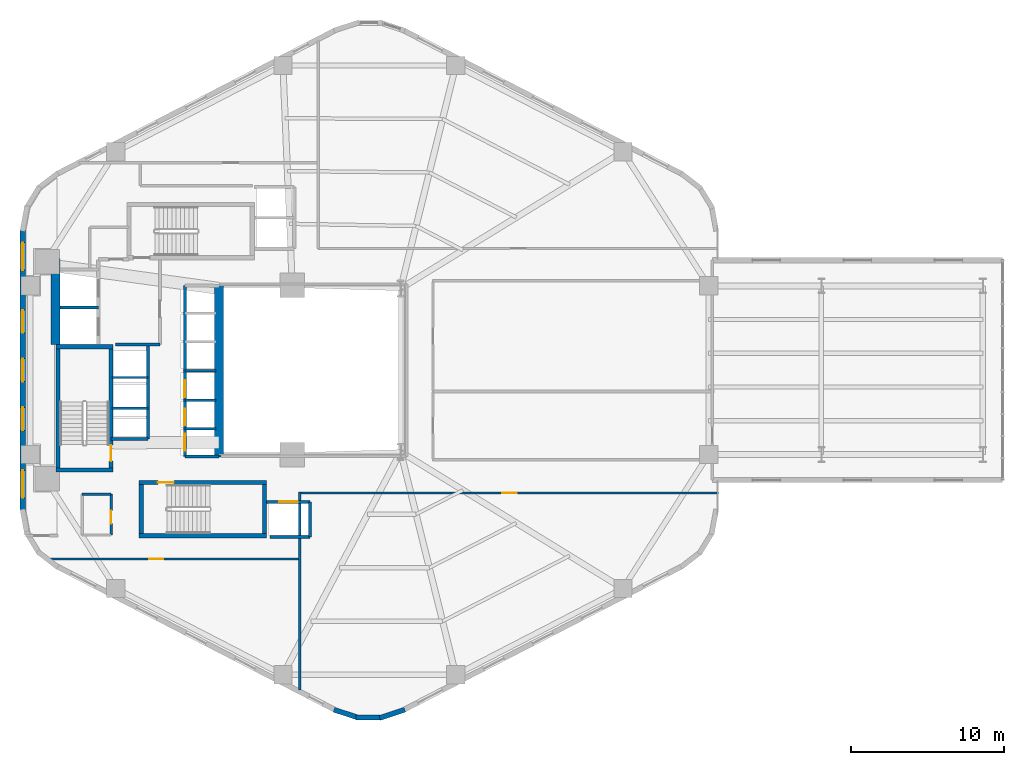
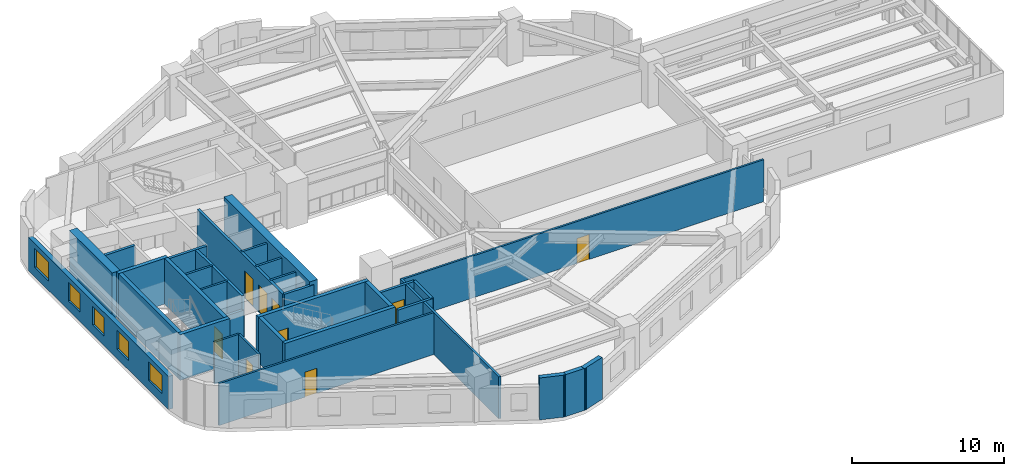
# One storey, part 5 of 10: 33 walls, 9 doors, 5 windows, 14 openings.
"""IFC4 building model written with IfcOpenShell, lengths in metres."""

import ifcopenshell
import ifcopenshell.guid

model = None  # the IFC model being written
_history = None  # IfcOwnerHistory: only IFC2X3 demands one
_inside = {}  # id of a spatial element -> (the spatial element, [elements in it])
_under = {}  # id of a project, library or spatial element -> (it, [spatial elements below it])
_declared = {}  # id of a project -> (the project, [libraries it declares])
_typed = {}  # id of a type object -> (the type object, [elements of that type])
_made_of = {}  # id of a material, layer set ... -> (it, [elements and type objects made of it])


def new_model(schema):
    """Start an empty IFC model of exactly this schema.

    Asked for "IFC4X3", IfcOpenShell would pick the latest addendum, in which some entities
    have other attributes; the version numbers below select the first issue.
    IFC2X3 requires an IfcOwnerHistory on every rooted entity: one is made here for all.
    """
    global model, _history
    if schema == "IFC4X3":
        model = ifcopenshell.file(schema_version=(4, 3, 0, 0))
    else:
        model = ifcopenshell.file(schema=schema)
    _inside.clear()
    _under.clear()
    _declared.clear()
    _typed.clear()
    _made_of.clear()
    _history = None
    if model.schema == "IFC2X3":
        org = make("IfcOrganization", Name="unknown")
        user = make(
            "IfcPersonAndOrganization",
            ThePerson=make("IfcPerson", FamilyName="unknown"),
            TheOrganization=org,
        )
        app = make(
            "IfcApplication",
            ApplicationDeveloper=org,
            Version="unknown",
            ApplicationFullName="unknown",
            ApplicationIdentifier="unknown",
        )
        _history = make(
            "IfcOwnerHistory",
            OwningUser=user,
            OwningApplication=app,
            ChangeAction="ADDED",
            CreationDate=0,
        )
    return model


def make(cls, **values):
    """One entity of the class cls with the attributes given. An attribute that is None is left unset."""
    return model.create_entity(
        cls, **{name: value for name, value in values.items() if value is not None}
    )


def rooted(cls, **values):
    """An entity with a GlobalId (a new one), such as an element, a storey or a relation."""
    return make(cls, GlobalId=ifcopenshell.guid.new(), OwnerHistory=_history, **values)


def si_unit(unit_type, name, prefix=None):
    """IfcSIUnit, for example si_unit("LENGTHUNIT", "METRE", prefix="MILLI")."""
    return make("IfcSIUnit", UnitType=unit_type, Prefix=prefix, Name=name)


def assignment(units):
    """IfcUnitAssignment: the units of a project."""
    return None if units is None else make("IfcUnitAssignment", Units=units)


def point(xyz):
    """IfcCartesianPoint."""
    return None if xyz is None else make("IfcCartesianPoint", Coordinates=xyz)


def direction(xyz):
    """IfcDirection."""
    return None if xyz is None else make("IfcDirection", DirectionRatios=xyz)


def frame(location, z_axis=None, x_axis=None):
    """IfcAxis2Placement3D, a coordinate frame: its origin and axes. An axis left out is left unset."""
    return make(
        "IfcAxis2Placement3D",
        Location=point(location),
        Axis=direction(z_axis),
        RefDirection=direction(x_axis),
    )


def frame_2d(location, x_axis=None):
    """IfcAxis2Placement2D, a coordinate frame in the plane: its origin and x axis."""
    return make(
        "IfcAxis2Placement2D", Location=point(location), RefDirection=direction(x_axis)
    )


def origin():
    """The frame at (0, 0, 0) with its axes left unset."""
    return frame((0.0, 0.0, 0.0))


def place(relative_to, where):
    """IfcLocalPlacement: puts the frame where relative to a parent placement (None: the world)."""
    return make(
        "IfcLocalPlacement", PlacementRelTo=relative_to, RelativePlacement=where
    )


def context(
    kind, dimensions, precision=None, world=None, true_north=None, identifier=None
):
    """IfcGeometricRepresentationContext, for example the 3D "Model" context."""
    return make(
        "IfcGeometricRepresentationContext",
        ContextIdentifier=identifier,
        ContextType=kind,
        CoordinateSpaceDimension=dimensions,
        Precision=precision,
        WorldCoordinateSystem=world,
        TrueNorth=true_north,
    )


def subcontext(parent, identifier, kind, view, scale=None):
    """IfcGeometricRepresentationSubContext, for example "Body" below "Model"."""
    return make(
        "IfcGeometricRepresentationSubContext",
        ContextIdentifier=identifier,
        ContextType=kind,
        ParentContext=parent,
        TargetScale=scale,
        TargetView=view,
    )


def project(units=None, contexts=None):
    """IfcProject with its units and contexts."""
    return rooted(
        "IfcProject",
        Name="project",
        RepresentationContexts=contexts,
        UnitsInContext=assignment(units),
    )


def spatial(cls, under=None, at=None, **own):
    """A site, building, storey or space (cls), placed at a placement, below another one or the project."""
    s = rooted(cls, ObjectPlacement=at, **own)
    if under is not None:
        _under.setdefault(under.id(), (under, []))[1].append(s)
    return s


def profile(cls, at=None, kind="AREA", **sizes):
    """A parametric profile (cls). Its sizes go by their IFC names, for example OverallWidth=200.0."""
    return make(cls, ProfileType=kind, Position=at, **sizes)


def rectangle(**sizes):
    """IfcRectangleProfileDef."""
    return profile("IfcRectangleProfileDef", **sizes)


def extrude(swept, where, along, depth):
    """IfcExtrudedAreaSolid: the profile swept, set in the frame where, extruded along a direction by depth."""
    return make(
        "IfcExtrudedAreaSolid",
        SweptArea=swept,
        Position=where,
        ExtrudedDirection=direction(along),
        Depth=depth,
    )


def shape(context_of_items, identifier, shape_type, items):
    """IfcShapeRepresentation: the items that make up one representation, for example the "Body"."""
    return make(
        "IfcShapeRepresentation",
        ContextOfItems=context_of_items,
        RepresentationIdentifier=identifier,
        RepresentationType=shape_type,
        Items=items,
    )


def material(Name=None, Category=None):
    """IfcMaterial."""
    return make("IfcMaterial", Name=Name, Category=Category)


def layer(
    of_material, thickness, ventilated=None, Name=None, Category=None, Priority=None
):
    """IfcMaterialLayer: one layer of a wall or slab, of a material (None: an air gap)."""
    return make(
        "IfcMaterialLayer",
        Material=of_material,
        LayerThickness=thickness,
        IsVentilated=ventilated,
        Name=Name,
        Category=Category,
        Priority=Priority,
    )


def layer_set(layers, Name=None):
    """IfcMaterialLayerSet."""
    return make("IfcMaterialLayerSet", MaterialLayers=layers, LayerSetName=Name)


def made_of(thing, what):
    """Note that an element or type object is made of a material, layer set ...; save() writes the relation."""
    if what is not None:
        _made_of.setdefault(what.id(), (what, []))[1].append(thing)
    return thing


def type_object(cls, material=None, **own):
    """A type object (cls), such as IfcWallType, which elements share."""
    return made_of(rooted(cls, **own), material)


def element(
    cls,
    number,
    at=None,
    inside=None,
    cuts=None,
    type_object=None,
    material=None,
    context=None,
    identifier="Body",
    shape_type=None,
    held_by="IfcProductDefinitionShape",
    body=None,
    shapes=None,
    **own,
):
    """One element of the class cls, such as IfcWall. Its Tag is "e" and its number.

    at: its placement. inside: the storey or other place that contains it. cuts: it is an
    opening in that element (IfcRelVoidsElement). A single representation is given by context,
    identifier, shape_type and body (its items); several are given by shapes. held_by: the class
    of the entity that holds the representations. save() writes the other relations.
    """
    e = rooted(cls, Tag="e%d" % number, ObjectPlacement=at, **own)
    if body is not None:
        shapes = [shape(context, identifier, shape_type, body)]
    if shapes is not None:
        e.Representation = make(held_by, Representations=shapes)
    if inside is not None:
        _inside.setdefault(inside.id(), (inside, []))[1].append(e)
    if cuts is not None:
        rooted(
            "IfcRelVoidsElement", RelatingBuildingElement=cuts, RelatedOpeningElement=e
        )
    if type_object is not None:
        _typed.setdefault(type_object.id(), (type_object, []))[1].append(e)
    return made_of(e, material)


def fill(opening, filler):
    """IfcRelFillsElement: the door or window that sits in an opening."""
    return rooted(
        "IfcRelFillsElement",
        RelatingOpeningElement=opening,
        RelatedBuildingElement=filler,
    )


def aggregate(whole, parts):
    """IfcRelAggregates: a whole, such as a stair, and the parts it consists of."""
    return rooted("IfcRelAggregates", RelatingObject=whole, RelatedObjects=parts)


def save(model, path):
    """Write the relations noted so far, then the file.

    IfcRelAggregates (storeys below a building ...), IfcRelContainedInSpatialStructure (elements
    in a storey), IfcRelDefinesByType, IfcRelAssociatesMaterial and IfcRelDeclares: one each for
    every whole, place, type object, material and project.
    """
    for whole, parts in _under.values():
        aggregate(whole, parts)
    for where, things in _inside.values():
        rooted(
            "IfcRelContainedInSpatialStructure",
            RelatedElements=things,
            RelatingStructure=where,
        )
    for kind, things in _typed.values():
        rooted("IfcRelDefinesByType", RelatedObjects=things, RelatingType=kind)
    for what, things in _made_of.values():
        rooted("IfcRelAssociatesMaterial", RelatedObjects=things, RelatingMaterial=what)
    for by, libraries in _declared.values():
        rooted("IfcRelDeclares", RelatingContext=by, RelatedDefinitions=libraries)
    model.write(path)


model = new_model("IFC4")

# Units and contexts
model_context = context("Model", 3, precision=1e-05, world=origin(), true_north=direction((0.0, 1.0)))
body_context = subcontext(model_context, "Body", "Model", "MODEL_VIEW")
ifc_project = project(units=[si_unit("LENGTHUNIT", "METRE"), si_unit("AREAUNIT", "SQUARE_METRE"), si_unit("VOLUMEUNIT", "CUBIC_METRE"), si_unit("PLANEANGLEUNIT", "RADIAN"), si_unit("MASSUNIT", "GRAM", prefix="KILO"), si_unit("THERMODYNAMICTEMPERATUREUNIT", "KELVIN"), si_unit("POWERUNIT", "WATT")], contexts=[model_context])

# Site, building, storey
site_placement = place(None, origin())
site = spatial("IfcSite", under=ifc_project, at=site_placement, CompositionType="ELEMENT")
building_placement = place(site_placement, origin())
building = spatial("IfcBuilding", under=site, at=building_placement, Name="Skarre Station Tower", CompositionType="ELEMENT")
storey_placement = place(building_placement, frame((0.0, 0.0, 56.199951171875)))
storey = spatial("IfcBuildingStorey", under=building, at=storey_placement, Name="L14", CompositionType="ELEMENT", Elevation=56.199951171875)

# Wall
ifc_material_1 = material(Name="Acoustic Steel-Stud Gypsum Partition", Category="steel")
ifc_layer_1 = layer(ifc_material_1, 0.14990234375, Name="Acoustic Steel-Stud Gypsum Partition")
ifc_layer_set_1 = layer_set([ifc_layer_1], Name="Acoustic Steel-Stud Gypsum Partition")
wall_type_1 = type_object("IfcWallType", Name="Fire-Rated Corridor Acoustic Partition 150", PredefinedType="PARTITIONING", material=ifc_layer_set_1)
wall_1_placement = place(storey_placement, frame((18.60009765625, 15.8798828125, 0.0), z_axis=(0.0, 0.0, 1.0), x_axis=(1.0, 0.0, 0.0)))
element("IfcWall", 1, at=wall_1_placement, inside=storey, type_object=wall_type_1, Name="L14 Interior Partition WL-PT-L14-CSVC-N", PredefinedType="PARTITIONING", context=body_context, shape_type="SweptSolid", body=[
    extrude(rectangle(XDim=1.889892578125, YDim=0.14990234375, at=frame_2d((0.94482421875, 0.0))), origin(), (0.0, 0.0, 1.0), 3.360107421875),
])

# Wall, opening, door
wall_2_placement = place(storey_placement, frame((20.489990234375, 13.199951171875, 0.0), z_axis=(0.0, 0.0, 1.0), x_axis=(0.0, 1.0, 0.0)))
wall_2 = element("IfcWall", 2, at=wall_2_placement, inside=storey, type_object=wall_type_1, Name="L14 Interior Partition WL-PT-L14-CSVC-E", PredefinedType="PARTITIONING", context=body_context, shape_type="SweptSolid", body=[
    extrude(rectangle(XDim=2.679931640625, YDim=0.14990234375, at=frame_2d((1.33984375, 0.0))), origin(), (0.0, 0.0, 1.0), 3.360107421875),
])
opening_1_placement = place(wall_2_placement, frame((0.75, 0.0, 0.0)))
opening_1 = element("IfcOpeningElement", 3, at=opening_1_placement, cuts=wall_2, Name="Opening DR-SVC86", PredefinedType="OPENING", context=body_context, shape_type="SweptSolid", body=[
    extrude(rectangle(XDim=0.860107421875, YDim=2.0, at=frame_2d((0.43017578125, 1.0))), frame((0.0, 0.0849609375, 0.0), z_axis=(0.0, -1.0, 0.0), x_axis=(1.0, 0.0, 0.0)), (0.0, 0.0, 1.0), 0.169921875),
])
ifc_material_2 = material(Name="Powder-Coated Hollow-Metal Acoustic Fire Leaf", Category="steel")
door_type_1 = type_object("IfcDoorType", Name="Compact Riser Fire Door FD60 860x2100", OperationType="SINGLE_SWING_LEFT", PredefinedType="DOOR", material=ifc_material_2)
door_1_placement = place(opening_1_placement, origin())
door_1 = element("IfcDoor", 4, at=door_1_placement, inside=storey, type_object=door_type_1, Name="L14 Supply Room Door", OperationType="SINGLE_SWING_LEFT", OverallHeight=2.0, OverallWidth=0.860107421875, PredefinedType="DOOR", context=body_context, shape_type="SweptSolid", body=[
    extrude(rectangle(XDim=0.860107421875, YDim=2.0, at=frame_2d((0.43017578125, 1.0))), frame((0.0, 0.02490234375, 0.0), z_axis=(0.0, -1.0, 0.0), x_axis=(1.0, 0.0, 0.0)), (0.0, 0.0, 1.0), 0.050048828125),
])
fill(opening_1, door_1)

wall_3_placement = place(storey_placement, frame((16.487060546875, 11.639892578125, 0.0), z_axis=(0.0, 0.0, 1.0), x_axis=(1.0, 0.0, 0.0)))
wall_3 = element("IfcWall", 5, at=wall_3_placement, inside=storey, type_object=wall_type_1, Name="L14 Interior Partition WL-PT-L14-SWP-N", PredefinedType="PARTITIONING", context=body_context, shape_type="SweptSolid", body=[
    extrude(rectangle(XDim=16.363037109375, YDim=0.14990234375, at=frame_2d((8.181640625, 0.0))), origin(), (0.0, 0.0, 1.0), 3.360107421875),
])
opening_2_placement = place(wall_3_placement, frame((6.512939453125, 0.0, 0.0)))
opening_2 = element("IfcOpeningElement", 6, at=opening_2_placement, cuts=wall_3, Name="Opening DR-SVC90", PredefinedType="OPENING", context=body_context, shape_type="SweptSolid", body=[
    extrude(rectangle(XDim=0.89990234375, YDim=2.0, at=frame_2d((0.449951171875, 1.0))), frame((0.0, 0.0849609375, 0.0), z_axis=(0.0, -1.0, 0.0), x_axis=(1.0, 0.0, 0.0)), (0.0, 0.0, 1.0), 0.169921875),
])
door_type_2 = type_object("IfcDoorType", Name="Service & Riser Fire Door FD60 900x2100", OperationType="SINGLE_SWING_LEFT", PredefinedType="DOOR", material=ifc_material_2)
door_2_placement = place(opening_2_placement, origin())
door_2 = element("IfcDoor", 7, at=door_2_placement, inside=storey, type_object=door_type_2, Name="L14 Floor Public Toilets Door", OperationType="SINGLE_SWING_LEFT", OverallHeight=2.0, OverallWidth=0.89990234375, PredefinedType="DOOR", context=body_context, shape_type="SweptSolid", body=[
    extrude(rectangle(XDim=0.89990234375, YDim=2.0, at=frame_2d((0.449951171875, 1.0))), frame((0.0, 0.02490234375, 0.0), z_axis=(0.0, -1.0, 0.0), x_axis=(1.0, 0.0, 0.0)), (0.0, 0.0, 1.0), 0.050048828125),
])
fill(opening_2, door_2)

wall_4_placement = place(storey_placement, frame((32.85009765625, 15.9599609375, 0.0), z_axis=(0.0, 0.0, 1.0), x_axis=(1.0, 0.0, 0.0)))
wall_4 = element("IfcWall", 8, at=wall_4_placement, inside=storey, type_object=wall_type_1, Name="L14 Interior Partition WL-PT-L14-SW1-CW", PredefinedType="PARTITIONING", context=body_context, shape_type="SweptSolid", body=[
    extrude(rectangle(XDim=27.40283203125, YDim=0.14990234375, at=frame_2d((13.701416015625, 0.0))), origin(), (0.0, 0.0, 1.0), 3.360107421875),
])
opening_3_placement = place(wall_4_placement, frame((13.235107421875, 0.0, 0.0)))
opening_3 = element("IfcOpeningElement", 9, at=opening_3_placement, cuts=wall_4, Name="Opening DR-FD60", PredefinedType="OPENING", context=body_context, shape_type="SweptSolid", body=[
    extrude(rectangle(XDim=0.9599609375, YDim=2.0, at=frame_2d((0.47998046875, 1.0))), frame((0.0, 0.0849609375, 0.0), z_axis=(0.0, -1.0, 0.0), x_axis=(1.0, 0.0, 0.0)), (0.0, 0.0, 1.0), 0.169921875),
])
ifc_material_3 = material(Name="Nordic White-Oak Veneer Solid-Core Fire Leaf", Category="wood")
door_type_3 = type_object("IfcDoorType", Name="Corridor Suite Entry Fire Door FD60 960x2150", OperationType="SINGLE_SWING_LEFT", PredefinedType="DOOR", material=ifc_material_3)
door_3_placement = place(opening_3_placement, origin())
door_3 = element("IfcDoor", 10, at=door_3_placement, inside=storey, type_object=door_type_3, Name="L14 SW1 Entry Door", OperationType="SINGLE_SWING_LEFT", OverallHeight=2.0, OverallWidth=0.9599609375, PredefinedType="DOOR", context=body_context, shape_type="SweptSolid", body=[
    extrude(rectangle(XDim=0.9599609375, YDim=2.0, at=frame_2d((0.47998046875, 1.0))), frame((0.0, 0.02490234375, 0.0), z_axis=(0.0, -1.0, 0.0), x_axis=(1.0, 0.0, 0.0)), (0.0, 0.0, 1.0), 0.050048828125),
])
fill(opening_3, door_3)

# Wall, openings, windows
ifc_material_4 = material(Name="Precast concrete C45/55", Category="concrete")
ifc_layer_2 = layer(ifc_material_4, 0.340087890625, Name="Precast concrete C45/55")
ifc_layer_set_2 = layer_set([ifc_layer_2], Name="Precast concrete C45/55")
wall_type_2 = type_object("IfcWallType", Name="Nordic Honed Precast Facet Wall 340", PredefinedType="STANDARD", material=ifc_layer_set_2)
wall_5_placement = place(storey_placement, frame((14.70703125, 14.798095703125, 0.0), z_axis=(0.0, 0.0, 1.0), x_axis=(0.0, 1.0, 0.0)))
wall_5 = element("IfcWall", 11, at=wall_5_placement, inside=storey, type_object=wall_type_2, Name="L14 Facet 2 Nordic Precast Masonry Wall", PredefinedType="STANDARD", context=body_context, shape_type="SweptSolid", body=[
    extrude(rectangle(XDim=18.40380859375, YDim=0.340087890625, at=frame_2d((9.201904296875, 0.0))), origin(), (0.0, 0.0, 1.0), 2.654052734375),
])
opening_4_placement = place(wall_5_placement, frame((0.844970703125, 0.0, 0.75)))
opening_4 = element("IfcOpeningElement", 12, at=opening_4_placement, cuts=wall_5, Name="Opening WN-Z1A", PredefinedType="OPENING", context=body_context, shape_type="SweptSolid", body=[
    extrude(rectangle(XDim=1.800048828125, YDim=1.5, at=frame_2d((0.89990234375, 0.75))), frame((0.0, 0.179931640625, 0.0), z_axis=(0.0, -1.0, 0.0), x_axis=(1.0, 0.0, 0.0)), (0.0, 0.0, 1.0), 0.360107421875),
])
opening_5_placement = place(wall_5_placement, frame((5.264892578125, 0.0, 0.75)))
opening_5 = element("IfcOpeningElement", 13, at=opening_5_placement, cuts=wall_5, Name="Opening WN-Z1B", PredefinedType="OPENING", context=body_context, shape_type="SweptSolid", body=[
    extrude(rectangle(XDim=1.5, YDim=1.5, at=frame_2d((0.75, 0.75))), frame((0.0, 0.179931640625, 0.0), z_axis=(0.0, -1.0, 0.0), x_axis=(1.0, 0.0, 0.0)), (0.0, 0.0, 1.0), 0.360107421875),
])
opening_6_placement = place(wall_5_placement, frame((8.451904296875, 0.0, 0.75)))
opening_6 = element("IfcOpeningElement", 14, at=opening_6_placement, cuts=wall_5, Name="Opening WN-Z1B", PredefinedType="OPENING", context=body_context, shape_type="SweptSolid", body=[
    extrude(rectangle(XDim=1.5, YDim=1.5, at=frame_2d((0.75, 0.75))), frame((0.0, 0.179931640625, 0.0), z_axis=(0.0, -1.0, 0.0), x_axis=(1.0, 0.0, 0.0)), (0.0, 0.0, 1.0), 0.360107421875),
])
opening_7_placement = place(wall_5_placement, frame((11.638916015625, 0.0, 0.75)))
opening_7 = element("IfcOpeningElement", 15, at=opening_7_placement, cuts=wall_5, Name="Opening WN-Z1B", PredefinedType="OPENING", context=body_context, shape_type="SweptSolid", body=[
    extrude(rectangle(XDim=1.5, YDim=1.5, at=frame_2d((0.75, 0.75))), frame((0.0, 0.179931640625, 0.0), z_axis=(0.0, -1.0, 0.0), x_axis=(1.0, 0.0, 0.0)), (0.0, 0.0, 1.0), 0.360107421875),
])
opening_8_placement = place(wall_5_placement, frame((15.758056640625, 0.0, 0.75)))
opening_8 = element("IfcOpeningElement", 16, at=opening_8_placement, cuts=wall_5, Name="Opening WN-Z1A", PredefinedType="OPENING", context=body_context, shape_type="SweptSolid", body=[
    extrude(rectangle(XDim=1.800048828125, YDim=1.5, at=frame_2d((0.89990234375, 0.75))), frame((0.0, 0.179931640625, 0.0), z_axis=(0.0, -1.0, 0.0), x_axis=(1.0, 0.0, 0.0)), (0.0, 0.0, 1.0), 0.360107421875),
])
ifc_material_5 = material(Name="Low-Iron Triple Glazing with Bronze Anodized Frame", Category="glass")
window_type_1 = type_object("IfcWindowType", Name="Nordic Punched Triple-Glazed Window 1500x1500", PartitioningType="SINGLE_PANEL", PredefinedType="WINDOW", material=ifc_material_5)
window_1_placement = place(opening_5_placement, origin())
window_1 = element("IfcWindow", 17, at=window_1_placement, inside=storey, type_object=window_type_1, Name="L14 Facade Window WL-FAC-L14-F2-2", OverallHeight=1.5, OverallWidth=1.5, PartitioningType="SINGLE_PANEL", PredefinedType="WINDOW", context=body_context, shape_type="SweptSolid", body=[
    extrude(rectangle(XDim=1.5, YDim=1.5, at=frame_2d((0.75, 0.75))), frame((0.0, 0.030029296875, 0.0), z_axis=(0.0, -1.0, 0.0), x_axis=(1.0, 0.0, 0.0)), (0.0, 0.0, 1.0), 0.06005859375),
])
fill(opening_5, window_1)
window_2_placement = place(opening_6_placement, origin())
window_2 = element("IfcWindow", 18, at=window_2_placement, inside=storey, type_object=window_type_1, Name="L14 Facade Window WL-FAC-L14-F2-3", OverallHeight=1.5, OverallWidth=1.5, PartitioningType="SINGLE_PANEL", PredefinedType="WINDOW", context=body_context, shape_type="SweptSolid", body=[
    extrude(rectangle(XDim=1.5, YDim=1.5, at=frame_2d((0.75, 0.75))), frame((0.0, 0.030029296875, 0.0), z_axis=(0.0, -1.0, 0.0), x_axis=(1.0, 0.0, 0.0)), (0.0, 0.0, 1.0), 0.06005859375),
])
fill(opening_6, window_2)
window_3_placement = place(opening_7_placement, origin())
window_3 = element("IfcWindow", 19, at=window_3_placement, inside=storey, type_object=window_type_1, Name="L14 Facade Window WL-FAC-L14-F2-4", OverallHeight=1.5, OverallWidth=1.5, PartitioningType="SINGLE_PANEL", PredefinedType="WINDOW", context=body_context, shape_type="SweptSolid", body=[
    extrude(rectangle(XDim=1.5, YDim=1.5, at=frame_2d((0.75, 0.75))), frame((0.0, 0.030029296875, 0.0), z_axis=(0.0, -1.0, 0.0), x_axis=(1.0, 0.0, 0.0)), (0.0, 0.0, 1.0), 0.06005859375),
])
fill(opening_7, window_3)
window_type_2 = type_object("IfcWindowType", Name="Nordic Punched Triple-Glazed Window 1800x1500", PartitioningType="SINGLE_PANEL", PredefinedType="WINDOW", material=ifc_material_5)
window_4_placement = place(opening_4_placement, origin())
window_4 = element("IfcWindow", 20, at=window_4_placement, inside=storey, type_object=window_type_2, Name="L14 Facade Window WL-FAC-L14-F2-1", OverallHeight=1.5, OverallWidth=1.800048828125, PartitioningType="SINGLE_PANEL", PredefinedType="WINDOW", context=body_context, shape_type="SweptSolid", body=[
    extrude(rectangle(XDim=1.800048828125, YDim=1.5, at=frame_2d((0.89990234375, 0.75))), frame((0.0, 0.030029296875, 0.0), z_axis=(0.0, -1.0, 0.0), x_axis=(1.0, 0.0, 0.0)), (0.0, 0.0, 1.0), 0.06005859375),
])
fill(opening_4, window_4)
window_5_placement = place(opening_8_placement, origin())
window_5 = element("IfcWindow", 21, at=window_5_placement, inside=storey, type_object=window_type_2, Name="L14 Facade Window WL-FAC-L14-F2-5", OverallHeight=1.5, OverallWidth=1.800048828125, PartitioningType="SINGLE_PANEL", PredefinedType="WINDOW", context=body_context, shape_type="SweptSolid", body=[
    extrude(rectangle(XDim=1.800048828125, YDim=1.5, at=frame_2d((0.89990234375, 0.75))), frame((0.0, 0.030029296875, 0.0), z_axis=(0.0, -1.0, 0.0), x_axis=(1.0, 0.0, 0.0)), (0.0, 0.0, 1.0), 0.06005859375),
])
fill(opening_8, window_5)

# Walls
ifc_layer_3 = layer(ifc_material_4, 0.330078125, Name="Precast concrete C45/55")
ifc_layer_set_3 = layer_set([ifc_layer_3], Name="Precast concrete C45/55")
wall_type_3 = type_object("IfcWallType", Name="Nordic Rounded Corner Precast Wall 330", PredefinedType="STANDARD", material=ifc_layer_set_3)
wall_6_placement = place(storey_placement, frame((39.718994140625, 1.76904296875, 0.0), z_axis=(0.0, 0.0, 1.0), x_axis=(-0.94976901097, -0.312951794691, 0.0)))
element("IfcWall", 22, at=wall_6_placement, inside=storey, type_object=wall_type_3, Name="L14 Rounded Corner Precast Wall F4-1", PredefinedType="STANDARD", context=body_context, shape_type="SweptSolid", body=[
    extrude(rectangle(XDim=1.722412109375, YDim=0.330078125, at=frame_2d((0.861328125, 0.0))), origin(), (0.0, 0.0, 1.0), 3.360107421875),
])
wall_7_placement = place(storey_placement, frame((38.260986328125, 1.259033203125, 0.0), z_axis=(0.0, 0.0, 1.0), x_axis=(-1.0, 0.0, 0.0)))
element("IfcWall", 23, at=wall_7_placement, inside=storey, type_object=wall_type_3, Name="L14 Rounded Corner Precast Wall F4-2", PredefinedType="STANDARD", context=body_context, shape_type="SweptSolid", body=[
    extrude(rectangle(XDim=1.721923828125, YDim=0.330078125, at=frame_2d((0.86083984375, 0.0))), origin(), (0.0, 0.0, 1.0), 3.360107421875),
])
wall_8_placement = place(storey_placement, frame((36.717041015625, 1.22998046875, 0.0), z_axis=(0.0, 0.0, 1.0), x_axis=(-0.94976901097, 0.312951794691, 0.0)))
element("IfcWall", 24, at=wall_8_placement, inside=storey, type_object=wall_type_3, Name="L14 Rounded Corner Precast Wall F4-3", PredefinedType="STANDARD", context=body_context, shape_type="SweptSolid", body=[
    extrude(rectangle(XDim=1.722412109375, YDim=0.330078125, at=frame_2d((0.861328125, 0.0))), origin(), (0.0, 0.0, 1.0), 3.360107421875),
])
ifc_material_6 = material(Name="Concrete C50/60", Category="concrete")
ifc_layer_4 = layer(ifc_material_6, 0.280029296875, Name="Concrete C50/60")
ifc_layer_set_4 = layer_set([ifc_layer_4], Name="Concrete C50/60")
wall_type_4 = type_object("IfcWallType", Name="RC Core Shear Wall 280", PredefinedType="SHEAR", material=ifc_layer_set_4)
for number, where, z_axis, x_axis, name in (
    (25, (16.8701171875, 17.4599609375, 0.0), (0.0, 0.0, 1.0), (1.0, 0.0, 0.0), "L14 Stair ST-1 South Shear Wall"),
    (26, (20.6298828125, 25.5400390625, 0.0), (0.0, 0.0, 1.0), (-1.0, 0.0, 0.0), "L14 Stair ST-1 North Shear Wall"),
):
    element("IfcWall", number, at=place(storey_placement, frame(where, z_axis=z_axis, x_axis=x_axis)), inside=storey, type_object=wall_type_4, Name=name, PredefinedType="SHEAR", context=body_context, shape_type="SweptSolid", body=[
        extrude(rectangle(XDim=3.759765625, YDim=0.280029296875, at=frame_2d((1.8798828125, 0.0))), origin(), (0.0, 0.0, 1.0), 3.650146484375),
    ])
wall_9_placement = place(storey_placement, frame((17.010009765625, 25.39990234375, 0.0), z_axis=(0.0, 0.0, 1.0), x_axis=(0.0, -1.0, 0.0)))
element("IfcWall", 27, at=wall_9_placement, inside=storey, type_object=wall_type_4, Name="L14 Stair ST-1 West Shear Wall", PredefinedType="SHEAR", context=body_context, shape_type="SweptSolid", body=[
    extrude(rectangle(XDim=7.7998046875, YDim=0.280029296875, at=frame_2d((3.89990234375, 0.0))), origin(), (0.0, 0.0, 1.0), 3.650146484375),
])

# Wall, opening, door
wall_10_placement = place(storey_placement, frame((20.489990234375, 17.60009765625, 0.0), z_axis=(0.0, 0.0, 1.0), x_axis=(0.0, 1.0, 0.0)))
wall_10 = element("IfcWall", 28, at=wall_10_placement, inside=storey, type_object=wall_type_4, Name="L14 Stair ST-1 East Shear Wall", PredefinedType="SHEAR", context=body_context, shape_type="SweptSolid", body=[
    extrude(rectangle(XDim=7.7998046875, YDim=0.280029296875, at=frame_2d((3.89990234375, 0.0))), origin(), (0.0, 0.0, 1.0), 3.650146484375),
])
opening_9_placement = place(wall_10_placement, frame((0.43994140625, 0.0, 0.0)))
opening_9 = element("IfcOpeningElement", 29, at=opening_9_placement, cuts=wall_10, Name="Opening DR-FD90", PredefinedType="OPENING", context=body_context, shape_type="SweptSolid", body=[
    extrude(rectangle(XDim=1.050048828125, YDim=2.0, at=frame_2d((0.52490234375, 1.0))), frame((0.0, 0.14990234375, 0.0), z_axis=(0.0, -1.0, 0.0), x_axis=(1.0, 0.0, 0.0)), (0.0, 0.0, 1.0), 0.300048828125),
])
ifc_material_7 = material(Name="Fire-Rated Insulated Steel Frame & Timber Core Leaf", Category="steel")
door_type_4 = type_object("IfcDoorType", Name="Stair & FSAE Lobby Fire Door FD90 1050x2150", OperationType="SINGLE_SWING_RIGHT", PredefinedType="DOOR", material=ifc_material_7)
door_4_placement = place(opening_9_placement, origin())
door_4 = element("IfcDoor", 30, at=door_4_placement, inside=storey, type_object=door_type_4, Name="L14 Stair ST-1 Exit Door", OperationType="SINGLE_SWING_RIGHT", OverallHeight=2.0, OverallWidth=1.050048828125, PredefinedType="DOOR", context=body_context, shape_type="SweptSolid", body=[
    extrude(rectangle(XDim=1.050048828125, YDim=2.0, at=frame_2d((0.52490234375, 1.0))), frame((0.0, 0.02490234375, 0.0), z_axis=(0.0, -1.0, 0.0), x_axis=(1.0, 0.0, 0.0)), (0.0, 0.0, 1.0), 0.050048828125),
])
fill(opening_9, door_4)

# Wall
wall_11_placement = place(storey_placement, frame((22.320068359375, 13.159912109375, 0.0), z_axis=(0.0, 0.0, 1.0), x_axis=(1.0, 0.0, 0.0)))
element("IfcWall", 31, at=wall_11_placement, inside=storey, type_object=wall_type_4, Name="L14 Stair ST-2 South Shear Wall", PredefinedType="SHEAR", context=body_context, shape_type="SweptSolid", body=[
    extrude(rectangle(XDim=8.35986328125, YDim=0.280029296875, at=frame_2d((4.179931640625, 0.0))), origin(), (0.0, 0.0, 1.0), 3.650146484375),
])

# Wall, opening, door
wall_12_placement = place(storey_placement, frame((30.679931640625, 16.639892578125, 0.0), z_axis=(0.0, 0.0, 1.0), x_axis=(-1.0, 0.0, 0.0)))
wall_12 = element("IfcWall", 32, at=wall_12_placement, inside=storey, type_object=wall_type_4, Name="L14 Stair ST-2 North Shear Wall", PredefinedType="SHEAR", context=body_context, shape_type="SweptSolid", body=[
    extrude(rectangle(XDim=8.35986328125, YDim=0.280029296875, at=frame_2d((4.179931640625, 0.0))), origin(), (0.0, 0.0, 1.0), 3.650146484375),
])
opening_10_placement = place(wall_12_placement, frame((6.080078125, 0.0, 0.0)))
opening_10 = element("IfcOpeningElement", 33, at=opening_10_placement, cuts=wall_12, Name="Opening DR-FD90", PredefinedType="OPENING", context=body_context, shape_type="SweptSolid", body=[
    extrude(rectangle(XDim=1.050048828125, YDim=2.0, at=frame_2d((0.52490234375, 1.0))), frame((0.0, 0.14990234375, 0.0), z_axis=(0.0, -1.0, 0.0), x_axis=(1.0, 0.0, 0.0)), (0.0, 0.0, 1.0), 0.300048828125),
])
door_5_placement = place(opening_10_placement, origin())
door_5 = element("IfcDoor", 34, at=door_5_placement, inside=storey, type_object=door_type_4, Name="L14 Stair ST-2 Exit Door", OperationType="SINGLE_SWING_RIGHT", OverallHeight=2.0, OverallWidth=1.050048828125, PredefinedType="DOOR", context=body_context, shape_type="SweptSolid", body=[
    extrude(rectangle(XDim=1.050048828125, YDim=2.0, at=frame_2d((0.52490234375, 1.0))), frame((0.0, 0.02490234375, 0.0), z_axis=(0.0, -1.0, 0.0), x_axis=(1.0, 0.0, 0.0)), (0.0, 0.0, 1.0), 0.050048828125),
])
fill(opening_10, door_5)

# Walls
for number, where, z_axis, x_axis, name in (
    (35, (22.4599609375, 16.5, 0.0), (0.0, 0.0, 1.0), (0.0, -1.0, 0.0), "L14 Stair ST-2 West Shear Wall"),
    (36, (30.5400390625, 13.300048828125, 0.0), (0.0, 0.0, 1.0), (0.0, 1.0, 0.0), "L14 Stair ST-2 East Shear Wall"),
):
    element("IfcWall", number, at=place(storey_placement, frame(where, z_axis=z_axis, x_axis=x_axis)), inside=storey, type_object=wall_type_4, Name=name, PredefinedType="SHEAR", context=body_context, shape_type="SweptSolid", body=[
        extrude(rectangle(XDim=3.199951171875, YDim=0.280029296875, at=frame_2d((1.60009765625, 0.0))), origin(), (0.0, 0.0, 1.0), 3.650146484375),
    ])
ifc_material_8 = material(Name="Concrete C70/85", Category="concrete")
ifc_layer_5 = layer(ifc_material_8, 0.60009765625, Name="Concrete C70/85")
ifc_layer_set_5 = layer_set([ifc_layer_5], Name="Concrete C70/85")
wall_type_5 = type_object("IfcWallType", Name="RC Core Shear Wall 600", PredefinedType="SHEAR", material=ifc_layer_set_5)
wall_13_placement = place(storey_placement, frame((16.85009765625, 25.679931640625, 0.0), z_axis=(0.0, 0.0, 1.0), x_axis=(0.0, 1.0, 0.0)))
element("IfcWall", 37, at=wall_13_placement, inside=storey, type_object=wall_type_5, Name="L14 Core West-North Shear Wall", PredefinedType="SHEAR", context=body_context, shape_type="SweptSolid", body=[
    extrude(rectangle(XDim=5.6201171875, YDim=0.60009765625, at=frame_2d((2.81005859375, 0.0))), origin(), (0.0, 0.0, 1.0), 3.650146484375),
])
wall_14_placement = place(storey_placement, frame((27.550048828125, 29.550048828125, 0.0), z_axis=(0.0, 0.0, 1.0), x_axis=(0.0, -1.0, 0.0)))
element("IfcWall", 38, at=wall_14_placement, inside=storey, type_object=wall_type_5, Name="L14 Core East Atrium Shear Wall", PredefinedType="SHEAR", context=body_context, shape_type="SweptSolid", body=[
    extrude(rectangle(XDim=11.25, YDim=0.60009765625, at=frame_2d((5.625, 0.0))), origin(), (0.0, 0.0, 1.0), 3.650146484375),
])
ifc_material_9 = material(Name="Gypsum Concrete Shaft Assembly C30/37", Category="concrete")
ifc_layer_6 = layer(ifc_material_9, 0.199951171875, Name="Gypsum Concrete Shaft Assembly C30/37")
ifc_layer_set_6 = layer_set([ifc_layer_6], Name="Gypsum Concrete Shaft Assembly C30/37")
wall_type_6 = type_object("IfcWallType", Name="Shaft & Core Fire Partition 200", PredefinedType="PARTITIONING", material=ifc_layer_set_6)
wall_15_placement = place(storey_placement, frame((20.79296875, 25.679931640625, 0.0), z_axis=(0.0, 0.0, 1.0), x_axis=(1.0, 0.0, 0.0)))
element("IfcWall", 39, at=wall_15_placement, inside=storey, type_object=wall_type_6, Name="L14 Interior Partition WL-PT-L14-FSAE-S", PredefinedType="PARTITIONING", context=body_context, shape_type="SweptSolid", body=[
    extrude(rectangle(XDim=2.886962890625, YDim=0.199951171875, at=frame_2d((1.443359375, 0.0))), origin(), (0.0, 0.0, 1.0), 3.360107421875),
])
wall_16_placement = place(storey_placement, frame((17.14990234375, 28.10009765625, 0.0), z_axis=(0.0, 0.0, 1.0), x_axis=(1.0, 0.0, 0.0)))
element("IfcWall", 40, at=wall_16_placement, inside=storey, type_object=wall_type_6, Name="L14 Interior Partition WL-PT-L14-FF-DIV", PredefinedType="PARTITIONING", context=body_context, shape_type="SweptSolid", body=[
    extrude(rectangle(XDim=2.5, YDim=0.199951171875, at=frame_2d((1.25, 0.0))), origin(), (0.0, 0.0, 1.0), 3.360107421875),
])

# Wall, opening, door
wall_17_placement = place(storey_placement, frame((33.5, 15.3798828125, 0.0), z_axis=(0.0, 0.0, 1.0), x_axis=(-1.0, 0.0, 0.0)))
wall_17 = element("IfcWall", 41, at=wall_17_placement, inside=storey, type_object=wall_type_6, Name="L14 Interior Partition WL-PT-L14-SV1-N", PredefinedType="PARTITIONING", context=body_context, shape_type="SweptSolid", body=[
    extrude(rectangle(XDim=2.820068359375, YDim=0.199951171875, at=frame_2d((1.41015625, 0.0))), origin(), (0.0, 0.0, 1.0), 3.360107421875),
])
opening_11_placement = place(wall_17_placement, frame((0.800048828125, 0.0, 0.0)))
opening_11 = element("IfcOpeningElement", 42, at=opening_11_placement, cuts=wall_17, Name="Opening LD-SV1", PredefinedType="OPENING", context=body_context, shape_type="SweptSolid", body=[
    extrude(rectangle(XDim=1.199951171875, YDim=2.199951171875, at=frame_2d((0.60009765625, 1.10009765625))), frame((0.0, 0.10986328125, 0.0), z_axis=(0.0, -1.0, 0.0), x_axis=(1.0, 0.0, 0.0)), (0.0, 0.0, 1.0), 0.219970703125),
])
ifc_material_10 = material(Name="Heavy-Gauge Brushed Stainless Steel Sliding Leaves", Category="steel")
door_type_5 = type_object("IfcDoorType", Name="Service Elevator Wide Sliding Landing Door 1200x2200", OperationType="SLIDING_TO_RIGHT", PredefinedType="DOOR", material=ifc_material_10)
door_6_placement = place(opening_11_placement, origin())
door_6 = element("IfcDoor", 43, at=door_6_placement, inside=storey, type_object=door_type_5, Name="L14 Service Lift LF-SV1 Landing Door", OperationType="SLIDING_TO_RIGHT", OverallHeight=2.199951171875, OverallWidth=1.199951171875, PredefinedType="DOOR", context=body_context, shape_type="SweptSolid", body=[
    extrude(rectangle(XDim=1.199951171875, YDim=2.199951171875, at=frame_2d((0.60009765625, 1.10009765625))), frame((0.0, 0.02490234375, 0.0), z_axis=(0.0, -1.0, 0.0), x_axis=(1.0, 0.0, 0.0)), (0.0, 0.0, 1.0), 0.050048828125),
])
fill(opening_11, door_6)

# Walls
wall_18_placement = place(storey_placement, frame((33.5, 13.080078125, 0.0), z_axis=(0.0, 0.0, 1.0), x_axis=(0.0, 1.0, 0.0)))
element("IfcWall", 44, at=wall_18_placement, inside=storey, type_object=wall_type_6, Name="L14 Interior Partition WL-PT-L14-SV1-E", PredefinedType="PARTITIONING", context=body_context, shape_type="SweptSolid", body=[
    extrude(rectangle(XDim=2.2998046875, YDim=0.199951171875, at=frame_2d((1.14990234375, 0.0))), origin(), (0.0, 0.0, 1.0), 3.360107421875),
])
wall_19_placement = place(storey_placement, frame((30.87890625, 13.080078125, 0.0), z_axis=(0.0, 0.0, 1.0), x_axis=(1.0, 0.0, 0.0)))
element("IfcWall", 45, at=wall_19_placement, inside=storey, type_object=wall_type_6, Name="L14 Interior Partition WL-PT-L14-SV1-S", PredefinedType="PARTITIONING", context=body_context, shape_type="SweptSolid", body=[
    extrude(rectangle(XDim=2.62109375, YDim=0.199951171875, at=frame_2d((1.310546875, 0.0))), origin(), (0.0, 0.0, 1.0), 3.360107421875),
])
wall_20_placement = place(storey_placement, frame((22.89990234375, 19.5, 0.0), z_axis=(0.0, 0.0, 1.0), x_axis=(0.0, 1.0, 0.0)))
element("IfcWall", 46, at=wall_20_placement, inside=storey, type_object=wall_type_6, Name="L14 Interior Partition WL-PT-L14-B3-E", PredefinedType="PARTITIONING", context=body_context, shape_type="SweptSolid", body=[
    extrude(rectangle(XDim=6.0849609375, YDim=0.199951171875, at=frame_2d((3.04248046875, 0.0))), origin(), (0.0, 0.0, 1.0), 3.360107421875),
])
wall_21_placement = place(storey_placement, frame((20.489990234375, 19.5, 0.0), z_axis=(0.0, 0.0, 1.0), x_axis=(1.0, 0.0, 0.0)))
element("IfcWall", 47, at=wall_21_placement, inside=storey, type_object=wall_type_6, Name="L14 Interior Partition WL-PT-L14-B3-S", PredefinedType="PARTITIONING", context=body_context, shape_type="SweptSolid", body=[
    extrude(rectangle(XDim=2.409912109375, YDim=0.199951171875, at=frame_2d((1.205078125, 0.0))), origin(), (0.0, 0.0, 1.0), 2.260009765625),
])
for number, where, z_axis, x_axis, name in (
    (48, (20.550048828125, 21.52001953125, 0.0), (0.0, 0.0, 1.0), (1.0, 0.0, 0.0), "L14 Interior Partition WL-PT-L14-B3-D1"),
    (49, (20.550048828125, 23.52001953125, 0.0), (0.0, 0.0, 1.0), (1.0, 0.0, 0.0), "L14 Interior Partition WL-PT-L14-B3-D2"),
):
    element("IfcWall", number, at=place(storey_placement, frame(where, z_axis=z_axis, x_axis=x_axis)), inside=storey, type_object=wall_type_6, Name=name, PredefinedType="PARTITIONING", context=body_context, shape_type="SweptSolid", body=[
        extrude(rectangle(XDim=2.349853515625, YDim=0.159912109375, at=frame_2d((1.1748046875, 0.0))), origin(), (0.0, 0.0, 1.0), 3.360107421875),
    ])

# Wall, openings, doors
wall_22_placement = place(storey_placement, frame((25.320068359375, 29.550048828125, 0.0), z_axis=(0.0, 0.0, 1.0), x_axis=(0.0, -1.0, 0.0)))
wall_22 = element("IfcWall", 50, at=wall_22_placement, inside=storey, type_object=wall_type_6, Name="L14 Interior Partition WL-PT-L14-B12-W", PredefinedType="PARTITIONING", context=body_context, shape_type="SweptSolid", body=[
    extrude(rectangle(XDim=11.18994140625, YDim=0.199951171875, at=frame_2d((5.594970703125, 0.0))), origin(), (0.0, 0.0, 1.0), 3.360107421875),
])
opening_12_placement = place(wall_22_placement, frame((6.219970703125, 0.0, 0.0)))
opening_12 = element("IfcOpeningElement", 51, at=opening_12_placement, cuts=wall_22, Name="Opening LD-P3", PredefinedType="OPENING", context=body_context, shape_type="SweptSolid", body=[
    extrude(rectangle(XDim=1.10009765625, YDim=2.199951171875, at=frame_2d((0.550048828125, 1.10009765625))), frame((0.0, 0.10986328125, 0.0), z_axis=(0.0, -1.0, 0.0), x_axis=(1.0, 0.0, 0.0)), (0.0, 0.0, 1.0), 0.219970703125),
])
opening_13_placement = place(wall_22_placement, frame((8.070068359375, 0.0, 0.0)))
opening_13 = element("IfcOpeningElement", 52, at=opening_13_placement, cuts=wall_22, Name="Opening LD-P2", PredefinedType="OPENING", context=body_context, shape_type="SweptSolid", body=[
    extrude(rectangle(XDim=1.10009765625, YDim=2.199951171875, at=frame_2d((0.550048828125, 1.10009765625))), frame((0.0, 0.10986328125, 0.0), z_axis=(0.0, -1.0, 0.0), x_axis=(1.0, 0.0, 0.0)), (0.0, 0.0, 1.0), 0.219970703125),
])
opening_14_placement = place(wall_22_placement, frame((9.72998046875, 0.0, 0.0)))
opening_14 = element("IfcOpeningElement", 53, at=opening_14_placement, cuts=wall_22, Name="Opening LD-P1", PredefinedType="OPENING", context=body_context, shape_type="SweptSolid", body=[
    extrude(rectangle(XDim=1.10009765625, YDim=2.199951171875, at=frame_2d((0.550048828125, 1.10009765625))), frame((0.0, 0.10986328125, 0.0), z_axis=(0.0, -1.0, 0.0), x_axis=(1.0, 0.0, 0.0)), (0.0, 0.0, 1.0), 0.219970703125),
])
ifc_material_11 = material(Name="Brushed Bronze Stainless Steel Sliding Leaves", Category="steel")
door_type_6 = type_object("IfcDoorType", Name="Passenger Elevator Center-Parting Sliding Door 1100x2200", OperationType="SLIDING_TO_LEFT", PredefinedType="DOOR", material=ifc_material_11)
door_7_placement = place(opening_12_placement, origin())
door_7 = element("IfcDoor", 54, at=door_7_placement, inside=storey, type_object=door_type_6, Name="L14 Passenger Lift LF-P3 Landing Door", OperationType="SLIDING_TO_LEFT", OverallHeight=2.199951171875, OverallWidth=1.10009765625, PredefinedType="DOOR", context=body_context, shape_type="SweptSolid", body=[
    extrude(rectangle(XDim=1.10009765625, YDim=2.199951171875, at=frame_2d((0.550048828125, 1.10009765625))), frame((0.0, 0.02490234375, 0.0), z_axis=(0.0, -1.0, 0.0), x_axis=(1.0, 0.0, 0.0)), (0.0, 0.0, 1.0), 0.050048828125),
])
fill(opening_12, door_7)
door_8_placement = place(opening_13_placement, origin())
door_8 = element("IfcDoor", 55, at=door_8_placement, inside=storey, type_object=door_type_6, Name="L14 Passenger Lift LF-P2 Landing Door", OperationType="SLIDING_TO_LEFT", OverallHeight=2.199951171875, OverallWidth=1.10009765625, PredefinedType="DOOR", context=body_context, shape_type="SweptSolid", body=[
    extrude(rectangle(XDim=1.10009765625, YDim=2.199951171875, at=frame_2d((0.550048828125, 1.10009765625))), frame((0.0, 0.02490234375, 0.0), z_axis=(0.0, -1.0, 0.0), x_axis=(1.0, 0.0, 0.0)), (0.0, 0.0, 1.0), 0.050048828125),
])
fill(opening_13, door_8)
door_9_placement = place(opening_14_placement, origin())
door_9 = element("IfcDoor", 56, at=door_9_placement, inside=storey, type_object=door_type_6, Name="L14 Passenger Lift LF-P1 Landing Door", OperationType="SLIDING_TO_LEFT", OverallHeight=2.199951171875, OverallWidth=1.10009765625, PredefinedType="DOOR", context=body_context, shape_type="SweptSolid", body=[
    extrude(rectangle(XDim=1.10009765625, YDim=2.199951171875, at=frame_2d((0.550048828125, 1.10009765625))), frame((0.0, 0.02490234375, 0.0), z_axis=(0.0, -1.0, 0.0), x_axis=(1.0, 0.0, 0.0)), (0.0, 0.0, 1.0), 0.050048828125),
])
fill(opening_14, door_9)

# Walls
wall_23_placement = place(storey_placement, frame((25.320068359375, 18.360107421875, 0.0), z_axis=(0.0, 0.0, 1.0), x_axis=(0.999989925833, -0.004488678231, 0.0)))
element("IfcWall", 57, at=wall_23_placement, inside=storey, type_object=wall_type_6, Name="L14 Interior Partition WL-PT-L14-B12-S", PredefinedType="PARTITIONING", context=body_context, shape_type="SweptSolid", body=[
    extrude(rectangle(XDim=2.22998046875, YDim=0.199951171875, at=frame_2d((1.114990234375, 0.0))), origin(), (0.0, 0.0, 1.0), 3.360107421875),
])
for number, where, z_axis, x_axis, name in (
    (58, (25.320068359375, 20.169921875, 0.0), (0.0, 0.0, 1.0), (1.0, 0.0, 0.0), "L14 Interior Partition WL-PT-L14-B12-D201"),
    (59, (25.320068359375, 22.02001953125, 0.0), (0.0, 0.0, 1.0), (1.0, 0.0, 0.0), "L14 Interior Partition WL-PT-L14-B12-D220"),
    (60, (25.320068359375, 23.949951171875, 0.0), (0.0, 0.0, 1.0), (1.0, 0.0, 0.0), "L14 Interior Partition WL-PT-L14-B12-D239"),
):
    element("IfcWall", number, at=place(storey_placement, frame(where, z_axis=z_axis, x_axis=x_axis)), inside=storey, type_object=wall_type_6, Name=name, PredefinedType="PARTITIONING", context=body_context, shape_type="SweptSolid", body=[
        extrude(rectangle(XDim=2.030029296875, YDim=0.159912109375, at=frame_2d((1.01513671875, 0.0))), origin(), (0.0, 0.0, 1.0), 3.360107421875),
    ])
ifc_layer_7 = layer(ifc_material_1, 0.1650390625, Name="Acoustic Steel-Stud Gypsum Partition")
ifc_layer_set_7 = layer_set([ifc_layer_7], Name="Acoustic Steel-Stud Gypsum Partition")
wall_type_7 = type_object("IfcWallType", Name="Suite Demising Acoustic Partition 165", PredefinedType="PARTITIONING", material=ifc_layer_set_7)
wall_24_placement = place(storey_placement, frame((32.85009765625, 3.06396484375, 0.0), z_axis=(0.0, 0.0, 1.0), x_axis=(0.0, 1.0, 0.0)))
element("IfcWall", 61, at=wall_24_placement, inside=storey, type_object=wall_type_7, Name="L14 Interior Partition WL-PT-L14-SWP-E", PredefinedType="PARTITIONING", context=body_context, shape_type="SweptSolid", body=[
    extrude(rectangle(XDim=12.966064453125, YDim=0.1650390625, at=frame_2d((6.48291015625, 0.0))), origin(), (0.0, 0.0, 1.0), 3.360107421875),
])

save(model, "model.ifc")
